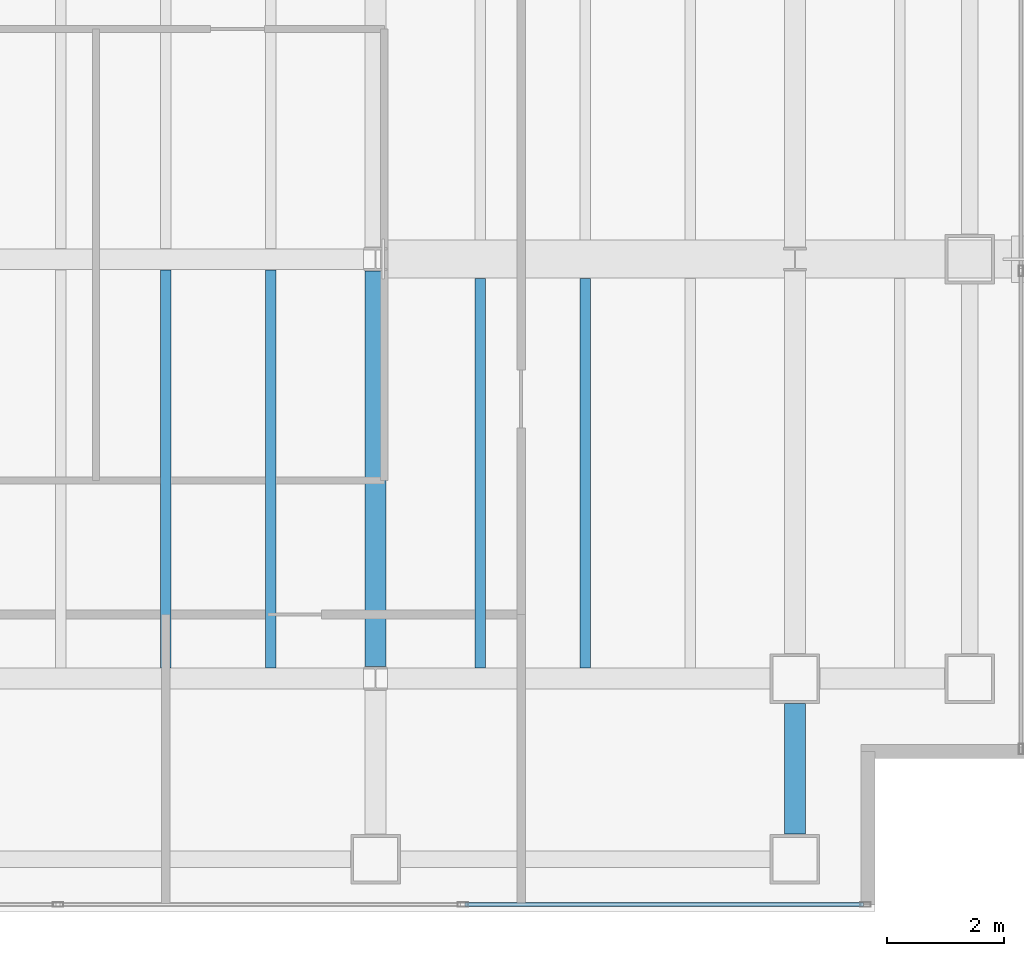
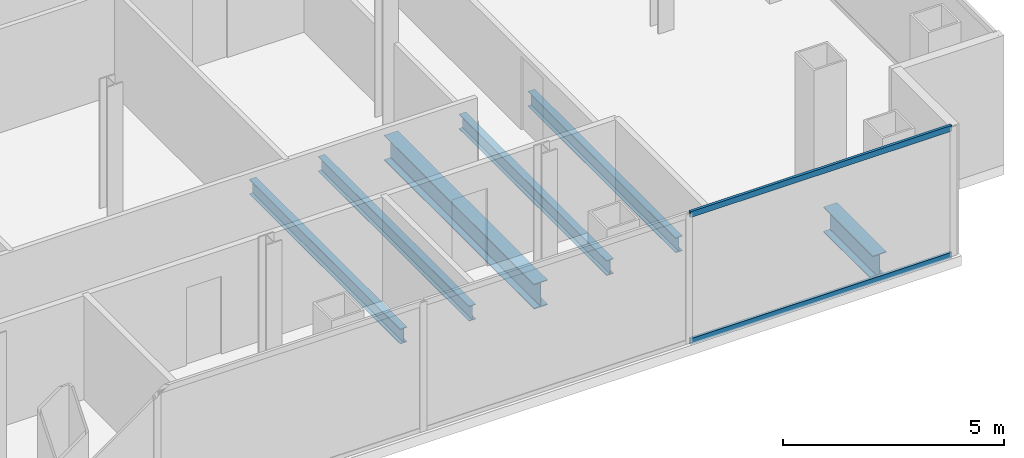
# One storey, part 10 of 23: 6 beams, 2 members, 1 element without a shape of its own.
"""IFC4 building model written with IfcOpenShell, lengths in metres."""

from ifc_helpers import new_model, si_unit, direction, frame, origin, origin_2d, place, context, subcontext, project, spatial, hollow_rectangle, i_section, extrude, material, material_profile, profile_set, type_object, element, aggregate, save


model = new_model("IFC4")

# Units and contexts
model_context = context("Model", 3, precision=1e-05, world=origin(), true_north=direction((0.0, 1.0)))
body_context = subcontext(model_context, "Body", "Model", "MODEL_VIEW")
ifc_project = project(units=[si_unit("LENGTHUNIT", "METRE"), si_unit("AREAUNIT", "SQUARE_METRE"), si_unit("VOLUMEUNIT", "CUBIC_METRE"), si_unit("PLANEANGLEUNIT", "RADIAN"), si_unit("MASSUNIT", "GRAM", prefix="KILO")], contexts=[model_context])

# Site, building, storey
site_placement = place(None, origin())
site = spatial("IfcSite", under=ifc_project, at=site_placement, CompositionType="ELEMENT")
building_placement = place(site_placement, origin())
building = spatial("IfcBuilding", under=site, at=building_placement, Name="Cobrela Telecom Tower", CompositionType="ELEMENT")
storey_placement = place(building_placement, frame((0.0, 0.0, 156.10009765625)))
storey = spatial("IfcBuildingStorey", under=building, at=storey_placement, Name="L39", CompositionType="ELEMENT", Elevation=156.10009765625)

# Beams
ifc_material_1 = material(Name="Steel ASTM A992 Grade 50", Category="steel")
ifc_material_profile_1 = material_profile(ifc_material_1, i_section(OverallWidth=0.35595703125, OverallDepth=0.696044921875, WebThickness=0.015380859375, FlangeThickness=0.024658203125, FilletRadius=0.01806640625, at=origin_2d()), Name="W27X146")
ifc_profile_set_1 = profile_set([ifc_material_profile_1], Name="Steel ASTM A992 Grade 50")
beam_type_1 = type_object("IfcBeamType", Name="BM-GIRD-05", PredefinedType="USERDEFINED", material=ifc_profile_set_1)
beam_1_placement = place(storey_placement, frame((36.0, 7.404541015625, -0.6181640625), z_axis=(0.0, 1.0, 0.0), x_axis=(-1.0, 0.0, 0.0)))
element("IfcBeam", 1, at=beam_1_placement, inside=storey, type_object=beam_type_1, Name="L39 Primary Girder Y46", ObjectType="GIRDER", PredefinedType="USERDEFINED", context=body_context, shape_type="SweptSolid", body=[
    extrude(i_section(OverallWidth=0.35595703125, OverallDepth=0.696044921875, WebThickness=0.015380859375, FlangeThickness=0.024658203125, FilletRadius=0.01806640625, at=origin_2d()), origin(), (0.0, 0.0, 1.0), 6.791015625),
])
beam_2_placement = place(storey_placement, frame((43.199951171875, 4.530029296875, -0.6181640625), z_axis=(0.0, 1.0, 0.0), x_axis=(-1.0, 0.0, 0.0)))
element("IfcBeam", 2, at=beam_2_placement, inside=storey, type_object=beam_type_1, Name="L39 Primary Girder Y48", ObjectType="GIRDER", PredefinedType="USERDEFINED", context=body_context, shape_type="SweptSolid", body=[
    extrude(i_section(OverallWidth=0.35595703125, OverallDepth=0.696044921875, WebThickness=0.015380859375, FlangeThickness=0.024658203125, FilletRadius=0.01806640625, at=origin_2d()), origin(), (0.0, 0.0, 1.0), 2.239990234375),
])
ifc_material_profile_2 = material_profile(ifc_material_1, i_section(OverallWidth=0.179931640625, OverallDepth=0.4169921875, WebThickness=0.010986328125, FlangeThickness=0.01806640625, FilletRadius=0.011962890625, at=origin_2d()), Name="W16X57")
ifc_profile_set_2 = profile_set([ifc_material_profile_2], Name="Steel ASTM A992 Grade 50")
beam_type_2 = type_object("IfcBeamType", Name="BM-JOIST-04", PredefinedType="JOIST", material=ifc_profile_set_2)
for number, where, z_axis, x_axis, name in (
    (3, (32.39990234375, 7.383056640625, -0.478515625), (0.0, 1.0, 0.0), (-1.0, 0.0, 0.0), "L39 Secondary Composite Floor Beam J29"),
    (4, (34.199951171875, 7.383056640625, -0.478515625), (0.0, 1.0, 0.0), (-1.0, 0.0, 0.0), "L39 Secondary Composite Floor Beam J31"),
):
    element("IfcBeam", number, at=place(storey_placement, frame(where, z_axis=z_axis, x_axis=x_axis)), inside=storey, type_object=beam_type_2, Name=name, PredefinedType="JOIST", context=body_context, shape_type="SweptSolid", body=[
        extrude(i_section(OverallWidth=0.179931640625, OverallDepth=0.4169921875, WebThickness=0.010986328125, FlangeThickness=0.01806640625, FilletRadius=0.011962890625, at=origin_2d()), origin(), (0.0, 0.0, 1.0), 6.833984375),
    ])
for number, where, z_axis, x_axis, name in (
    (5, (37.800048828125, 7.383056640625, -0.478515625), (0.0, 1.0, 0.0), (-1.0, 0.0, 0.0), "L39 Secondary Composite Floor Beam J33"),
    (6, (39.60009765625, 7.383056640625, -0.478515625), (0.0, 1.0, 0.0), (-1.0, 0.0, 0.0), "L39 Secondary Composite Floor Beam J35"),
):
    element("IfcBeam", number, at=place(storey_placement, frame(where, z_axis=z_axis, x_axis=x_axis)), inside=storey, type_object=beam_type_2, Name=name, PredefinedType="JOIST", context=body_context, shape_type="SweptSolid", body=[
        extrude(i_section(OverallWidth=0.179931640625, OverallDepth=0.4169921875, WebThickness=0.010986328125, FlangeThickness=0.01806640625, FilletRadius=0.011962890625, at=origin_2d()), origin(), (0.0, 0.0, 1.0), 6.68701171875),
    ])

# Curtain wall, members
ifc_material_2 = material(Name="Anodized Bronze Aluminium 6063-T6", Category="aluminium")
curtain_wall_type = type_object("IfcCurtainWallType", Name="CW-SYS-TEL", PredefinedType="USERDEFINED", material=ifc_material_2)
curtain_wall_placement = place(storey_placement, origin())
curtain_wall = element("IfcCurtainWall", 7, at=curtain_wall_placement, inside=storey, type_object=curtain_wall_type, Name="L39 Unitised Bronze Curtain Wall 17", ObjectType="UNITISED CURTAIN WALL", PredefinedType="USERDEFINED")
ifc_material_profile_3 = material_profile(ifc_material_2, hollow_rectangle(XDim=0.070068359375, YDim=0.159912109375, WallThickness=0.00390625, at=origin_2d()), Name="ALU 70x160x4")
ifc_profile_set_3 = profile_set([ifc_material_profile_3], Name="Anodized Bronze Aluminium 6063-T6")
member_type = type_object("IfcMemberType", Name="CW-SYS-TEL-TRN", PredefinedType="USERDEFINED", material=ifc_profile_set_3)
member_1_placement = place(storey_placement, frame((44.375, 3.320068359375, 0.034912109375), z_axis=(-1.0, 0.0, 0.0), x_axis=(0.0, -1.0, 0.0)))
member_1 = element("IfcMember", 8, at=member_1_placement, type_object=member_type, Name="CW-TEL transom 1.1", ObjectType="TRANSOM", PredefinedType="USERDEFINED", context=body_context, shape_type="SweptSolid", body=[
    extrude(hollow_rectangle(XDim=0.070068359375, YDim=0.159912109375, WallThickness=0.00390625, at=origin_2d()), origin(), (0.0, 0.0, 1.0), 6.83740234375),
])
member_2_placement = place(storey_placement, frame((44.375, 3.320068359375, 3.544921875), z_axis=(-1.0, 0.0, 0.0), x_axis=(0.0, -1.0, 0.0)))
member_2 = element("IfcMember", 9, at=member_2_placement, type_object=member_type, Name="CW-TEL transom 1.2", ObjectType="TRANSOM", PredefinedType="USERDEFINED", context=body_context, shape_type="SweptSolid", body=[
    extrude(hollow_rectangle(XDim=0.070068359375, YDim=0.159912109375, WallThickness=0.00390625, at=origin_2d()), origin(), (0.0, 0.0, 1.0), 6.83740234375),
])
aggregate(curtain_wall, [member_1, member_2])

save(model, "model.ifc")
